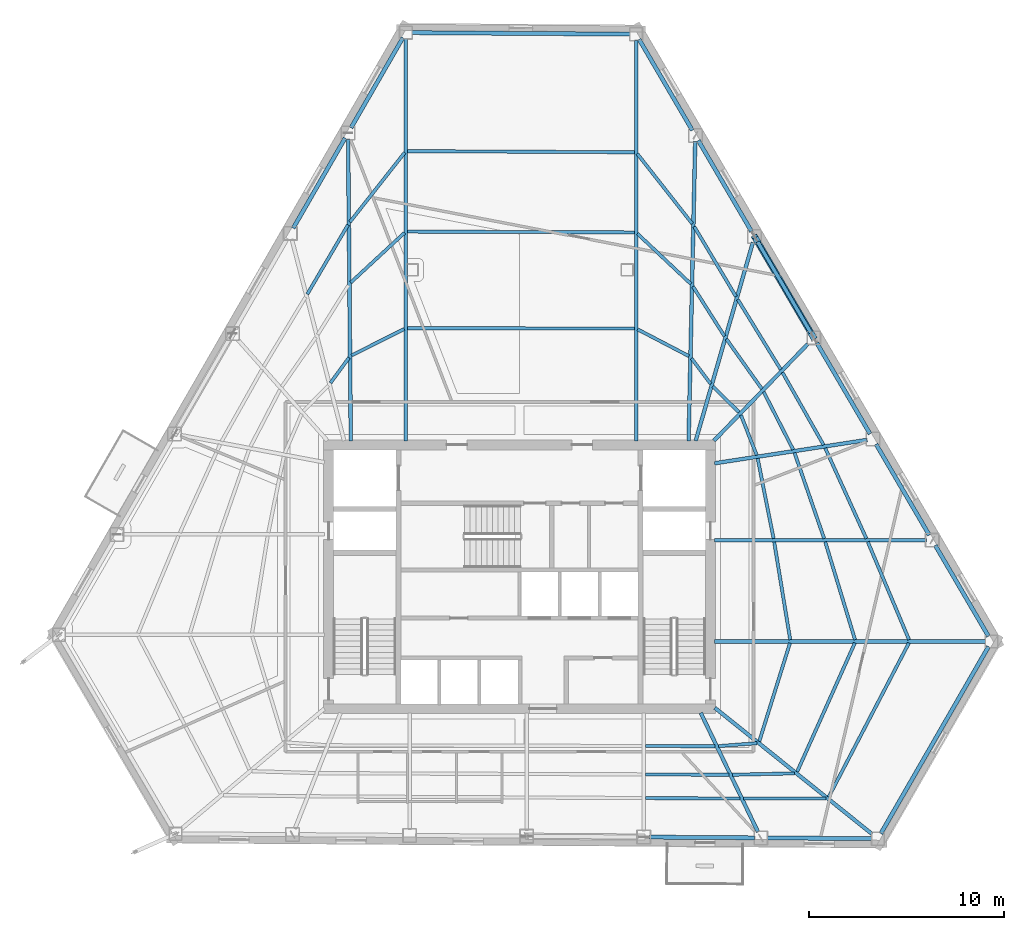
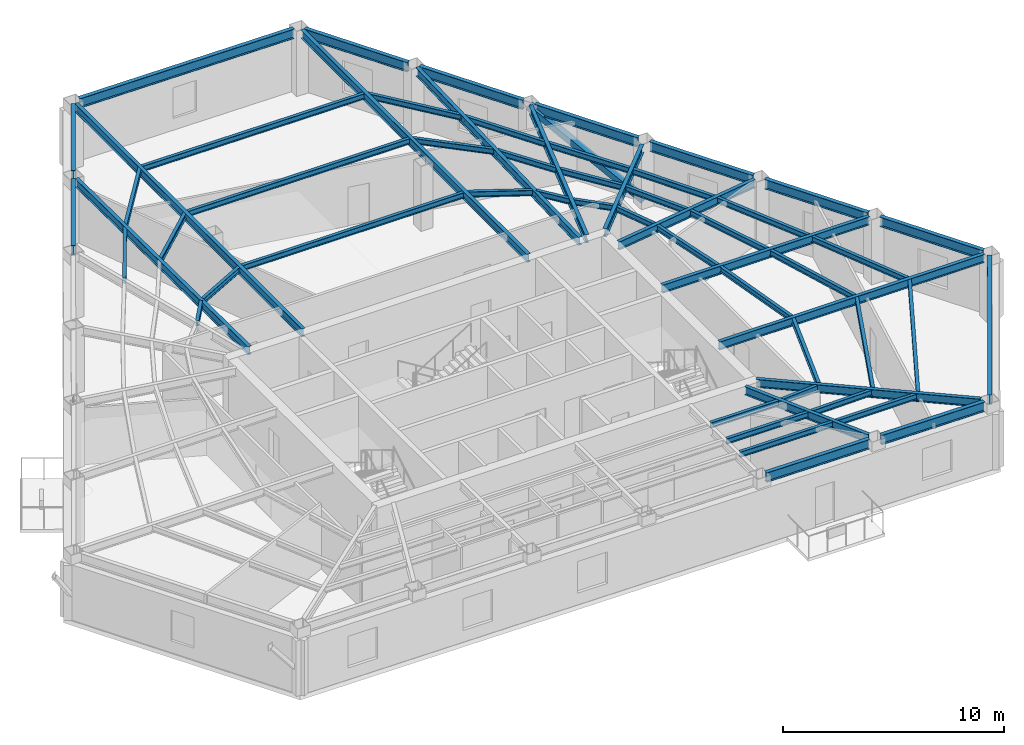
# One storey, part 2 of 12: 58 beams, 1 member.
"""IFC4 building model written with IfcOpenShell, lengths in metres."""

from ifc_helpers import new_model, si_unit, direction, frame, origin, origin_2d, place, context, subcontext, project, spatial, hollow_rectangle, i_section, extrude, material, material_profile, profile_set, type_object, element, save


model = new_model("IFC4")

# Units and contexts
model_context = context("Model", 3, precision=1e-05, world=origin(), true_north=direction((0.0, 1.0)))
body_context = subcontext(model_context, "Body", "Model", "MODEL_VIEW")
ifc_project = project(units=[si_unit("LENGTHUNIT", "METRE"), si_unit("AREAUNIT", "SQUARE_METRE"), si_unit("VOLUMEUNIT", "CUBIC_METRE"), si_unit("PLANEANGLEUNIT", "RADIAN"), si_unit("MASSUNIT", "GRAM", prefix="KILO")], contexts=[model_context])

# Site, building, storey
site_placement = place(None, origin())
site = spatial("IfcSite", under=ifc_project, at=site_placement, CompositionType="ELEMENT")
building_placement = place(site_placement, origin())
building = spatial("IfcBuilding", under=site, at=building_placement, Name="Kavelnor Concourse Tower", CompositionType="ELEMENT")
storey_placement = place(building_placement, frame((0.0, 0.0, 120.14990234375)))
storey = spatial("IfcBuildingStorey", under=building, at=storey_placement, Name="L30", CompositionType="ELEMENT", Elevation=120.14990234375)

# Beams
ifc_material = material(Name="Steel Grade 350", Category="steel")
ifc_material_profile_1 = material_profile(ifc_material, i_section(OverallWidth=0.166015625, OverallDepth=0.306884765625, WebThickness=0.006591796875, FlangeThickness=0.01171875, at=origin_2d()), Name="310UB46")
ifc_profile_set_1 = profile_set([ifc_material_profile_1], Name="Steel Grade 350")
beam_type_1 = type_object("IfcBeamType", Name="BM-JOIST-310", PredefinedType="JOIST", material=ifc_profile_set_1)
beam_1_placement = place(storey_placement, frame((44.4453125, 7.444091796875, 3.446533203125), z_axis=(0.999993639994, -0.003566506809, 0.0), x_axis=(0.003566506809, 0.999993639994, 0.0)))
element("IfcBeam", 1, at=beam_1_placement, inside=storey, type_object=beam_type_1, Name="L30 Secondary Composite Joist 06-1", PredefinedType="JOIST", context=body_context, shape_type="SweptSolid", body=[
    extrude(i_section(OverallWidth=0.166015625, OverallDepth=0.306884765625, WebThickness=0.006591796875, FlangeThickness=0.01171875, at=origin_2d()), origin(), (0.0, 0.0, 1.0), 3.5595703125),
])
beam_2_placement = place(storey_placement, frame((44.4453125, 5.990966796875, 3.446533203125), z_axis=(0.999988142034, -0.004869886105, 0.0), x_axis=(0.004869886105, 0.999988142034, 0.0)))
element("IfcBeam", 2, at=beam_2_placement, inside=storey, type_object=beam_type_1, Name="L30 Secondary Composite Joist 06-2", PredefinedType="JOIST", context=body_context, shape_type="SweptSolid", body=[
    extrude(i_section(OverallWidth=0.166015625, OverallDepth=0.306884765625, WebThickness=0.006591796875, FlangeThickness=0.01171875, at=origin_2d()), origin(), (0.0, 0.0, 1.0), 4.26123046875),
])
beam_3_placement = place(storey_placement, frame((44.4453125, 4.77978515625, 3.446533203125), z_axis=(0.999984365473, -0.005591852119, 0.0), x_axis=(0.005591852119, 0.999984365473, 0.0)))
element("IfcBeam", 3, at=beam_3_placement, inside=storey, type_object=beam_type_1, Name="L30 Secondary Composite Joist 06-3", PredefinedType="JOIST", context=body_context, shape_type="SweptSolid", body=[
    extrude(i_section(OverallWidth=0.166015625, OverallDepth=0.306884765625, WebThickness=0.006591796875, FlangeThickness=0.01171875, at=origin_2d()), origin(), (0.0, 0.0, 1.0), 4.84619140625),
])
beam_4_placement = place(storey_placement, frame((48.1826171875, 7.43798828125, 3.446533203125), z_axis=(0.997110260076, 0.075967948838, 0.0), x_axis=(-0.075967948838, 0.997110260076, 0.0)))
element("IfcBeam", 4, at=beam_4_placement, inside=storey, type_object=beam_type_1, Name="L30 Secondary Composite Joist 07-1", PredefinedType="JOIST", context=body_context, shape_type="SweptSolid", body=[
    extrude(i_section(OverallWidth=0.166015625, OverallDepth=0.306884765625, WebThickness=0.006591796875, FlangeThickness=0.01171875, at=origin_2d()), origin(), (0.0, 0.0, 1.0), 1.97314453125),
])
beam_5_placement = place(storey_placement, frame((48.884521484375, 5.971923828125, 3.446533203125), z_axis=(0.999744196967, 0.02261726401, 0.0), x_axis=(-0.02261726401, 0.999744196967, 0.0)))
element("IfcBeam", 5, at=beam_5_placement, inside=storey, type_object=beam_type_1, Name="L30 Secondary Composite Joist 07-2", PredefinedType="JOIST", context=body_context, shape_type="SweptSolid", body=[
    extrude(i_section(OverallWidth=0.166015625, OverallDepth=0.306884765625, WebThickness=0.006591796875, FlangeThickness=0.01171875, at=origin_2d()), origin(), (0.0, 0.0, 1.0), 3.195068359375),
])
beam_6_placement = place(storey_placement, frame((49.469482421875, 4.752197265625, 3.446533203125), z_axis=(0.999999622847, 0.000868507576, 0.0), x_axis=(-0.000868507576, 0.999999622847, 0.0)))
element("IfcBeam", 6, at=beam_6_placement, inside=storey, type_object=beam_type_1, Name="L30 Secondary Composite Joist 07-3", PredefinedType="JOIST", context=body_context, shape_type="SweptSolid", body=[
    extrude(i_section(OverallWidth=0.166015625, OverallDepth=0.306884765625, WebThickness=0.006591796875, FlangeThickness=0.01171875, at=origin_2d()), origin(), (0.0, 0.0, 1.0), 4.216552734375),
])
beam_7_placement = place(storey_placement, frame((50.265380859375, 7.6796875, 3.446533203125), z_axis=(0.298132560037, 0.954524476714, 0.0), x_axis=(-0.954524476714, 0.298132560037, 0.0)))
element("IfcBeam", 7, at=beam_7_placement, inside=storey, type_object=beam_type_1, Name="L30 Secondary Composite Joist 08-1", PredefinedType="JOIST", context=body_context, shape_type="SweptSolid", body=[
    extrude(i_section(OverallWidth=0.166015625, OverallDepth=0.306884765625, WebThickness=0.006591796875, FlangeThickness=0.01171875, at=origin_2d()), origin(), (0.0, 0.0, 1.0), 5.2705078125),
])
beam_8_placement = place(storey_placement, frame((52.2041015625, 6.12744140625, 3.446533203125), z_axis=(0.408857759763, 0.912598122002, 0.0), x_axis=(-0.912598122002, 0.408857759763, 0.0)))
element("IfcBeam", 8, at=beam_8_placement, inside=storey, type_object=beam_type_1, Name="L30 Secondary Composite Joist 08-2", PredefinedType="JOIST", context=body_context, shape_type="SweptSolid", body=[
    extrude(i_section(OverallWidth=0.166015625, OverallDepth=0.306884765625, WebThickness=0.006591796875, FlangeThickness=0.01171875, at=origin_2d()), origin(), (0.0, 0.0, 1.0), 7.217529296875),
])
beam_9_placement = place(storey_placement, frame((53.816162109375, 4.8349609375, 3.446533203125), z_axis=(0.462192339094, 0.886779703017, 0.0), x_axis=(-0.886779703017, 0.462192339094, 0.0)))
element("IfcBeam", 9, at=beam_9_placement, inside=storey, type_object=beam_type_1, Name="L30 Secondary Composite Joist 08-3", PredefinedType="JOIST", context=body_context, shape_type="SweptSolid", body=[
    extrude(i_section(OverallWidth=0.166015625, OverallDepth=0.306884765625, WebThickness=0.006591796875, FlangeThickness=0.01171875, at=origin_2d()), origin(), (0.0, 0.0, 1.0), 8.887939453125),
])
beam_10_placement = place(storey_placement, frame((51.8486328125, 12.88330078125, 3.446533203125), z_axis=(-0.161695824302, 0.986840645902, 0.0), x_axis=(-0.986840645902, -0.161695824302, 0.0)))
element("IfcBeam", 10, at=beam_10_placement, inside=storey, type_object=beam_type_1, Name="L30 Secondary Composite Joist 09-1", PredefinedType="JOIST", context=body_context, shape_type="SweptSolid", body=[
    extrude(i_section(OverallWidth=0.166015625, OverallDepth=0.306884765625, WebThickness=0.006591796875, FlangeThickness=0.01171875, at=origin_2d()), origin(), (0.0, 0.0, 1.0), 5.068603515625),
])
beam_11_placement = place(storey_placement, frame((55.16552734375, 12.880615234375, 3.446533203125), z_axis=(-0.29115419141, 0.956676139989, 0.0), x_axis=(-0.956676139989, -0.29115419141, 0.0)))
element("IfcBeam", 11, at=beam_11_placement, inside=storey, type_object=beam_type_1, Name="L30 Secondary Composite Joist 09-2", PredefinedType="JOIST", context=body_context, shape_type="SweptSolid", body=[
    extrude(i_section(OverallWidth=0.166015625, OverallDepth=0.306884765625, WebThickness=0.006591796875, FlangeThickness=0.01171875, at=origin_2d()), origin(), (0.0, 0.0, 1.0), 5.234130859375),
])
beam_12_placement = place(storey_placement, frame((57.9306640625, 12.87744140625, 3.446533203125), z_axis=(-0.388371929917, 0.921502709737, 0.0), x_axis=(-0.921502709737, -0.388371929917, 0.0)))
element("IfcBeam", 12, at=beam_12_placement, inside=storey, type_object=beam_type_1, Name="L30 Secondary Composite Joist 09-3", PredefinedType="JOIST", context=body_context, shape_type="SweptSolid", body=[
    extrude(i_section(OverallWidth=0.166015625, OverallDepth=0.306884765625, WebThickness=0.006591796875, FlangeThickness=0.01171875, at=origin_2d()), origin(), (0.0, 0.0, 1.0), 5.440673828125),
])
beam_13_placement = place(storey_placement, frame((50.997314453125, 18.060302734375, 3.446533203125), z_axis=(-0.194856772986, 0.980831707288, 0.0), x_axis=(-0.980831707288, -0.194856772986, 0.0)))
element("IfcBeam", 13, at=beam_13_placement, inside=storey, type_object=beam_type_1, Name="L30 Secondary Composite Joist 10-1", PredefinedType="JOIST", context=body_context, shape_type="SweptSolid", body=[
    extrude(i_section(OverallWidth=0.166015625, OverallDepth=0.306884765625, WebThickness=0.006591796875, FlangeThickness=0.01171875, at=origin_2d()), origin(), (0.0, 0.0, 1.0), 4.176025390625),
])
beam_14_placement = place(storey_placement, frame((53.58642578125, 18.05712890625, 3.446533203125), z_axis=(-0.326758472064, 0.945107877935, 0.0), x_axis=(-0.945107877935, -0.326758472064, 0.0)))
element("IfcBeam", 14, at=beam_14_placement, inside=storey, type_object=beam_type_1, Name="L30 Secondary Composite Joist 10-2", PredefinedType="JOIST", context=body_context, shape_type="SweptSolid", body=[
    extrude(i_section(OverallWidth=0.166015625, OverallDepth=0.306884765625, WebThickness=0.006591796875, FlangeThickness=0.01171875, at=origin_2d()), origin(), (0.0, 0.0, 1.0), 4.644287109375),
])
beam_15_placement = place(storey_placement, frame((55.746337890625, 18.05419921875, 3.446533203125), z_axis=(-0.414135275356, 0.910215344688, 0.0), x_axis=(-0.910215344688, -0.414135275356, 0.0)))
element("IfcBeam", 15, at=beam_15_placement, inside=storey, type_object=beam_type_1, Name="L30 Secondary Composite Joist 10-3", PredefinedType="JOIST", context=body_context, shape_type="SweptSolid", body=[
    extrude(i_section(OverallWidth=0.166015625, OverallDepth=0.306884765625, WebThickness=0.006591796875, FlangeThickness=0.01171875, at=origin_2d()), origin(), (0.0, 0.0, 1.0), 5.091796875),
])
beam_16_placement = place(storey_placement, frame((50.1337890625, 22.326416015625, 3.446533203125), z_axis=(-0.365968303862, 0.930627315615, 0.0), x_axis=(-0.930627315615, -0.365968303862, 0.0)))
element("IfcBeam", 16, at=beam_16_placement, inside=storey, type_object=beam_type_1, Name="L30 Secondary Composite Joist 11-1", PredefinedType="JOIST", context=body_context, shape_type="SweptSolid", body=[
    extrude(i_section(OverallWidth=0.166015625, OverallDepth=0.306884765625, WebThickness=0.006591796875, FlangeThickness=0.01171875, at=origin_2d()), origin(), (0.0, 0.0, 1.0), 2.199462890625),
])
beam_17_placement = place(storey_placement, frame((51.999267578125, 22.60986328125, 3.446533203125), z_axis=(-0.455085127073, 0.890447936219, 0.0), x_axis=(-0.890447936219, -0.455085127073, 0.0)))
element("IfcBeam", 17, at=beam_17_placement, inside=storey, type_object=beam_type_1, Name="L30 Secondary Composite Joist 11-2", PredefinedType="JOIST", context=body_context, shape_type="SweptSolid", body=[
    extrude(i_section(OverallWidth=0.166015625, OverallDepth=0.306884765625, WebThickness=0.006591796875, FlangeThickness=0.01171875, at=origin_2d()), origin(), (0.0, 0.0, 1.0), 3.317626953125),
])
beam_18_placement = place(storey_placement, frame((53.556884765625, 22.84716796875, 3.446533203125), z_axis=(-0.493404134219, 0.869800184143, 0.0), x_axis=(-0.869800184143, -0.493404134219, 0.0)))
element("IfcBeam", 18, at=beam_18_placement, inside=storey, type_object=beam_type_1, Name="L30 Secondary Composite Joist 11-3", PredefinedType="JOIST", context=body_context, shape_type="SweptSolid", body=[
    extrude(i_section(OverallWidth=0.166015625, OverallDepth=0.306884765625, WebThickness=0.006591796875, FlangeThickness=0.01171875, at=origin_2d()), origin(), (0.0, 0.0, 1.0), 4.2626953125),
])
beam_19_placement = place(storey_placement, frame((49.23291015625, 24.518798828125, 3.446533203125), z_axis=(-0.711638961517, 0.702545363981, 0.0), x_axis=(-0.702545363981, -0.711638961517, 0.0)))
element("IfcBeam", 19, at=beam_19_placement, inside=storey, type_object=beam_type_1, Name="L30 Secondary Composite Joist 12-1", PredefinedType="JOIST", context=body_context, shape_type="SweptSolid", body=[
    extrude(i_section(OverallWidth=0.166015625, OverallDepth=0.306884765625, WebThickness=0.006591796875, FlangeThickness=0.01171875, at=origin_2d()), origin(), (0.0, 0.0, 1.0), 1.87939453125),
])
beam_20_placement = place(storey_placement, frame((50.3974609375, 25.7158203125, 3.446533203125), z_axis=(-0.579500732718, 0.814971717779, 0.0), x_axis=(-0.814971717779, -0.579500732718, 0.0)))
element("IfcBeam", 20, at=beam_20_placement, inside=storey, type_object=beam_type_1, Name="L30 Secondary Composite Joist 12-2", PredefinedType="JOIST", context=body_context, shape_type="SweptSolid", body=[
    extrude(i_section(OverallWidth=0.166015625, OverallDepth=0.306884765625, WebThickness=0.006591796875, FlangeThickness=0.01171875, at=origin_2d()), origin(), (0.0, 0.0, 1.0), 3.1259765625),
])
beam_21_placement = place(storey_placement, frame((51.363037109375, 26.708251953125, 3.446533203125), z_axis=(-0.522949049536, 0.852363943154, 0.0), x_axis=(-0.852363943154, -0.522949049536, 0.0)))
element("IfcBeam", 21, at=beam_21_placement, inside=storey, type_object=beam_type_1, Name="L30 Secondary Composite Joist 12-3", PredefinedType="JOIST", context=body_context, shape_type="SweptSolid", body=[
    extrude(i_section(OverallWidth=0.166015625, OverallDepth=0.306884765625, WebThickness=0.006591796875, FlangeThickness=0.01171875, at=origin_2d()), origin(), (0.0, 0.0, 1.0), 4.20068359375),
])
beam_22_placement = place(storey_placement, frame((47.77880859375, 25.972900390625, 3.446533203125), z_axis=(-0.600191278872, 0.79985650511, 0.0), x_axis=(-0.79985650511, -0.600191278872, 0.0)))
element("IfcBeam", 22, at=beam_22_placement, inside=storey, type_object=beam_type_1, Name="L30 Secondary Composite Joist 13-1", PredefinedType="JOIST", context=body_context, shape_type="SweptSolid", body=[
    extrude(i_section(OverallWidth=0.166015625, OverallDepth=0.306884765625, WebThickness=0.006591796875, FlangeThickness=0.01171875, at=origin_2d()), origin(), (0.0, 0.0, 1.0), 1.633544921875),
])
beam_23_placement = place(storey_placement, frame((48.48681640625, 28.4111328125, 3.446533203125), z_axis=(-0.535694361059, 0.844411956056, 0.0), x_axis=(-0.844411956056, -0.535694361059, 0.0)))
element("IfcBeam", 23, at=beam_23_placement, inside=storey, type_object=beam_type_1, Name="L30 Secondary Composite Joist 13-2", PredefinedType="JOIST", context=body_context, shape_type="SweptSolid", body=[
    extrude(i_section(OverallWidth=0.166015625, OverallDepth=0.306884765625, WebThickness=0.006591796875, FlangeThickness=0.01171875, at=origin_2d()), origin(), (0.0, 0.0, 1.0), 3.0107421875),
])
beam_24_placement = place(storey_placement, frame((49.073974609375, 30.441162109375, 3.446533203125), z_axis=(-0.51252863095, 0.858670135999, 0.0), x_axis=(-0.858670135999, -0.51252863095, 0.0)))
element("IfcBeam", 24, at=beam_24_placement, inside=storey, type_object=beam_type_1, Name="L30 Secondary Composite Joist 13-3", PredefinedType="JOIST", context=body_context, shape_type="SweptSolid", body=[
    extrude(i_section(OverallWidth=0.166015625, OverallDepth=0.306884765625, WebThickness=0.006591796875, FlangeThickness=0.01171875, at=origin_2d()), origin(), (0.0, 0.0, 1.0), 4.164306640625),
])
beam_25_placement = place(storey_placement, frame((46.666015625, 27.391845703125, 3.446533203125), z_axis=(-0.886686388982, 0.462371330853, 0.0), x_axis=(-0.462371330853, -0.886686388982, 0.0)))
element("IfcBeam", 25, at=beam_25_placement, inside=storey, type_object=beam_type_1, Name="L30 Secondary Composite Joist 14-1", PredefinedType="JOIST", context=body_context, shape_type="SweptSolid", body=[
    extrude(i_section(OverallWidth=0.166015625, OverallDepth=0.306884765625, WebThickness=0.006591796875, FlangeThickness=0.01171875, at=origin_2d()), origin(), (0.0, 0.0, 1.0), 2.95751953125),
])
beam_26_placement = place(storey_placement, frame((46.761474609375, 31.089599609375, 3.446533203125), z_axis=(-0.72829170929, 0.685267237054, 0.0), x_axis=(-0.685267237054, -0.72829170929, 0.0)))
element("IfcBeam", 26, at=beam_26_placement, inside=storey, type_object=beam_type_1, Name="L30 Secondary Composite Joist 14-2", PredefinedType="JOIST", context=body_context, shape_type="SweptSolid", body=[
    extrude(i_section(OverallWidth=0.166015625, OverallDepth=0.306884765625, WebThickness=0.006591796875, FlangeThickness=0.01171875, at=origin_2d()), origin(), (0.0, 0.0, 1.0), 3.750732421875),
])
beam_27_placement = place(storey_placement, frame((46.839111328125, 34.163330078125, 3.446533203125), z_axis=(-0.617826277945, 0.786314625503, 0.0), x_axis=(-0.786314625503, -0.617826277945, 0.0)))
element("IfcBeam", 27, at=beam_27_placement, inside=storey, type_object=beam_type_1, Name="L30 Secondary Composite Joist 14-3", PredefinedType="JOIST", context=body_context, shape_type="SweptSolid", body=[
    extrude(i_section(OverallWidth=0.166015625, OverallDepth=0.306884765625, WebThickness=0.006591796875, FlangeThickness=0.01171875, at=origin_2d()), origin(), (0.0, 0.0, 1.0), 4.56298828125),
])
for number, where, z_axis, x_axis, name in (
    (28, (43.8759765625, 28.800537109375, 3.446533203125), (-0.999998085668, 0.001956696374, 0.0), (-0.001956696374, -0.999998085668, 0.0), "L30 Secondary Composite Joist 15-1"),
    (29, (43.8759765625, 33.72119140625, 3.446533203125), (-0.999993452051, 0.003618819537, 0.0), (-0.003618819537, -0.999993452051, 0.0), "L30 Secondary Composite Joist 15-2"),
):
    element("IfcBeam", number, at=place(storey_placement, frame(where, z_axis=z_axis, x_axis=x_axis)), inside=storey, type_object=beam_type_1, Name=name, PredefinedType="JOIST", context=body_context, shape_type="SweptSolid", body=[
        extrude(i_section(OverallWidth=0.166015625, OverallDepth=0.306884765625, WebThickness=0.006591796875, FlangeThickness=0.01171875, at=origin_2d()), origin(), (0.0, 0.0, 1.0), 11.603759765625),
    ])
beam_28_placement = place(storey_placement, frame((43.8759765625, 37.82177734375, 3.446533203125), z_axis=(-0.999987567993, 0.004986367347, 0.0), x_axis=(-0.004986367347, -0.999987567993, 0.0)))
element("IfcBeam", 30, at=beam_28_placement, inside=storey, type_object=beam_type_1, Name="L30 Secondary Composite Joist 15-3", PredefinedType="JOIST", context=body_context, shape_type="SweptSolid", body=[
    extrude(i_section(OverallWidth=0.166015625, OverallDepth=0.306884765625, WebThickness=0.006591796875, FlangeThickness=0.01171875, at=origin_2d()), origin(), (0.0, 0.0, 1.0), 11.60400390625),
])
beam_29_placement = place(storey_placement, frame((32.103759765625, 28.783203125, 3.446533203125), z_axis=(-0.893145420475, -0.449768004514, 0.0), x_axis=(0.449768004514, -0.893145420475, 0.0)))
element("IfcBeam", 31, at=beam_29_placement, inside=storey, type_object=beam_type_1, Name="L30 Secondary Composite Joist 16-1", PredefinedType="JOIST", context=body_context, shape_type="SweptSolid", body=[
    extrude(i_section(OverallWidth=0.166015625, OverallDepth=0.306884765625, WebThickness=0.006591796875, FlangeThickness=0.01171875, at=origin_2d()), origin(), (0.0, 0.0, 1.0), 3.01806640625),
])
beam_30_placement = place(storey_placement, frame((32.117919921875, 33.702880859375, 3.446533203125), z_axis=(-0.734324655341, -0.678798424098, 0.0), x_axis=(0.678798424098, -0.734324655341, 0.0)))
element("IfcBeam", 32, at=beam_30_placement, inside=storey, type_object=beam_type_1, Name="L30 Secondary Composite Joist 16-2", PredefinedType="JOIST", context=body_context, shape_type="SweptSolid", body=[
    extrude(i_section(OverallWidth=0.166015625, OverallDepth=0.306884765625, WebThickness=0.006591796875, FlangeThickness=0.01171875, at=origin_2d()), origin(), (0.0, 0.0, 1.0), 3.7548828125),
])
beam_31_placement = place(storey_placement, frame((32.128173828125, 37.810302734375, 3.446533203125), z_axis=(-0.619317485095, -0.785140657879, 0.0), x_axis=(0.785140657879, -0.619317485095, 0.0)))
element("IfcBeam", 33, at=beam_31_placement, inside=storey, type_object=beam_type_1, Name="L30 Secondary Composite Joist 16-3", PredefinedType="JOIST", context=body_context, shape_type="SweptSolid", body=[
    extrude(i_section(OverallWidth=0.166015625, OverallDepth=0.306884765625, WebThickness=0.006591796875, FlangeThickness=0.01171875, at=origin_2d()), origin(), (0.0, 0.0, 1.0), 4.5302734375),
])
beam_32_placement = place(storey_placement, frame((29.276123046875, 27.31396484375, 3.446533203125), z_axis=(-0.590947711608, -0.806709862432, 0.0), x_axis=(0.806709862432, -0.590947711608, 0.0)))
element("IfcBeam", 34, at=beam_32_placement, inside=storey, type_object=beam_type_1, Name="L30 Secondary Composite Joist 17-1", PredefinedType="JOIST", context=body_context, shape_type="SweptSolid", body=[
    extrude(i_section(OverallWidth=0.166015625, OverallDepth=0.306884765625, WebThickness=0.006591796875, FlangeThickness=0.01171875, at=origin_2d()), origin(), (0.0, 0.0, 1.0), 1.603271484375),
])
beam_33_placement = place(storey_placement, frame((29.222412109375, 34.106689453125, 3.446533203125), z_axis=(-0.506259166262, -0.86238138696, 0.0), x_axis=(0.86238138696, -0.506259166262, 0.0)))
element("IfcBeam", 35, at=beam_33_placement, inside=storey, type_object=beam_type_1, Name="L30 Secondary Composite Joist 17-3", PredefinedType="JOIST", context=body_context, shape_type="SweptSolid", body=[
    extrude(i_section(OverallWidth=0.166015625, OverallDepth=0.306884765625, WebThickness=0.006591796875, FlangeThickness=0.01171875, at=origin_2d()), origin(), (0.0, 0.0, 1.0), 4.109130859375),
])
ifc_material_profile_2 = material_profile(ifc_material, i_section(OverallWidth=0.18994140625, OverallDepth=0.4541015625, WebThickness=0.008544921875, FlangeThickness=0.0126953125, at=origin_2d()), Name="460UB67")
ifc_profile_set_2 = profile_set([ifc_material_profile_2], Name="Steel Grade 350")
beam_type_2 = type_object("IfcBeamType", Name="BM-PRIMARY-460", PredefinedType="BEAM", material=ifc_profile_set_2)
beam_34_placement = place(storey_placement, frame((32.183349609375, 23.06005859375, 3.373046875), z_axis=(0.0, 1.0, 0.0), x_axis=(-1.0, 0.0, 0.0)))
element("IfcBeam", 36, at=beam_34_placement, inside=storey, type_object=beam_type_2, Name="L30 Primary Floor Girder F0-B0", PredefinedType="BEAM", context=body_context, shape_type="SweptSolid", body=[
    extrude(i_section(OverallWidth=0.18994140625, OverallDepth=0.4541015625, WebThickness=0.008544921875, FlangeThickness=0.0126953125, at=origin_2d()), origin(), (0.0, 0.0, 1.0), 20.58349609375),
])
beam_35_placement = place(storey_placement, frame((29.36767578125, 23.06005859375, 3.373046875), z_axis=(-0.009007219935, 0.999959434172, 0.0), x_axis=(-0.999959434172, -0.009007219935, 0.0)))
element("IfcBeam", 37, at=beam_35_placement, inside=storey, type_object=beam_type_2, Name="L30 Primary Floor Girder F0-B1", PredefinedType="BEAM", context=body_context, shape_type="SweptSolid", body=[
    extrude(i_section(OverallWidth=0.18994140625, OverallDepth=0.4541015625, WebThickness=0.008544921875, FlangeThickness=0.0126953125, at=origin_2d()), origin(), (0.0, 0.0, 1.0), 15.449951171875),
])
beam_36_placement = place(storey_placement, frame((47.27490234375, 9.135986328125, 3.373046875), z_axis=(0.432930811557, -0.901427153133, 0.0), x_axis=(0.901427153133, 0.432930811557, 0.0)))
element("IfcBeam", 38, at=beam_36_placement, inside=storey, type_object=beam_type_2, Name="L30 Primary Floor Girder F1-B5", PredefinedType="BEAM", context=body_context, shape_type="SweptSolid", body=[
    extrude(i_section(OverallWidth=0.18994140625, OverallDepth=0.4541015625, WebThickness=0.008544921875, FlangeThickness=0.0126953125, at=origin_2d()), origin(), (0.0, 0.0, 1.0), 6.754638671875),
])
beam_37_placement = place(storey_placement, frame((47.98876953125, 9.401123046875, 3.373046875), z_axis=(0.779811455478, -0.626014451834, 0.0), x_axis=(0.626014451834, 0.779811455478, 0.0)))
element("IfcBeam", 39, at=beam_37_placement, inside=storey, type_object=beam_type_2, Name="L30 Primary Floor Girder F1-B6", PredefinedType="BEAM", context=body_context, shape_type="SweptSolid", body=[
    extrude(i_section(OverallWidth=0.18994140625, OverallDepth=0.4541015625, WebThickness=0.008544921875, FlangeThickness=0.0126953125, at=origin_2d()), origin(), (0.0, 0.0, 1.0), 10.305419921875),
])
beam_38_placement = place(storey_placement, frame((47.97998046875, 12.79541015625, 3.373046875), z_axis=(1.0, 0.0, 0.0), x_axis=(0.0, 1.0, 0.0)))
element("IfcBeam", 40, at=beam_38_placement, inside=storey, type_object=beam_type_2, Name="L30 Primary Floor Girder F2-B0", PredefinedType="BEAM", context=body_context, shape_type="SweptSolid", body=[
    extrude(i_section(OverallWidth=0.18994140625, OverallDepth=0.4541015625, WebThickness=0.008544921875, FlangeThickness=0.0126953125, at=origin_2d()), origin(), (0.0, 0.0, 1.0), 13.868408203125),
])
beam_39_placement = place(storey_placement, frame((47.97998046875, 17.97314453125, 3.373046875), z_axis=(1.0, 0.0, 0.0), x_axis=(0.0, 1.0, 0.0)))
element("IfcBeam", 41, at=beam_39_placement, inside=storey, type_object=beam_type_2, Name="L30 Primary Floor Girder F2-B1", PredefinedType="BEAM", context=body_context, shape_type="SweptSolid", body=[
    extrude(i_section(OverallWidth=0.18994140625, OverallDepth=0.4541015625, WebThickness=0.008544921875, FlangeThickness=0.0126953125, at=origin_2d()), origin(), (0.0, 0.0, 1.0), 10.837646484375),
])
beam_40_placement = place(storey_placement, frame((47.98046875, 21.908447265625, 3.373046875), z_axis=(0.988460163217, 0.151481040838, 0.0), x_axis=(-0.151481040838, 0.988460163217, 0.0)))
element("IfcBeam", 42, at=beam_40_placement, inside=storey, type_object=beam_type_2, Name="L30 Primary Floor Girder F2-B2", PredefinedType="BEAM", context=body_context, shape_type="SweptSolid", body=[
    extrude(i_section(OverallWidth=0.18994140625, OverallDepth=0.4541015625, WebThickness=0.008544921875, FlangeThickness=0.0126953125, at=origin_2d()), origin(), (0.0, 0.0, 1.0), 7.897216796875),
])
beam_41_placement = place(storey_placement, frame((47.95166015625, 23.0712890625, 3.373046875), z_axis=(0.696654489442, 0.717406803941, 0.0), x_axis=(-0.717406803941, 0.696654489442, 0.0)))
element("IfcBeam", 43, at=beam_41_placement, inside=storey, type_object=beam_type_2, Name="L30 Primary Floor Girder F2-B3", PredefinedType="BEAM", context=body_context, shape_type="SweptSolid", body=[
    extrude(i_section(OverallWidth=0.18994140625, OverallDepth=0.4541015625, WebThickness=0.008544921875, FlangeThickness=0.0126953125, at=origin_2d()), origin(), (0.0, 0.0, 1.0), 6.89404296875),
])
beam_42_placement = place(storey_placement, frame((47.0126953125, 23.0615234375, 3.373046875), z_axis=(0.2771943184, 0.960813878879, 0.0), x_axis=(-0.960813878879, 0.2771943184, 0.0)))
element("IfcBeam", 44, at=beam_42_placement, inside=storey, type_object=beam_type_2, Name="L30 Primary Floor Girder F2-B4", PredefinedType="BEAM", context=body_context, shape_type="SweptSolid", body=[
    extrude(i_section(OverallWidth=0.18994140625, OverallDepth=0.4541015625, WebThickness=0.008544921875, FlangeThickness=0.0126953125, at=origin_2d()), origin(), (0.0, 0.0, 1.0), 10.556640625),
])
beam_43_placement = place(storey_placement, frame((46.650146484375, 23.06005859375, 3.373046875), z_axis=(0.022108126128, 0.99975558551, 0.0), x_axis=(-0.99975558551, 0.022108126128, 0.0)))
element("IfcBeam", 45, at=beam_43_placement, inside=storey, type_object=beam_type_2, Name="L30 Primary Floor Girder F2-B5", PredefinedType="BEAM", context=body_context, shape_type="SweptSolid", body=[
    extrude(i_section(OverallWidth=0.18994140625, OverallDepth=0.4541015625, WebThickness=0.008544921875, FlangeThickness=0.0126953125, at=origin_2d()), origin(), (0.0, 0.0, 1.0), 15.32763671875),
])
beam_44_placement = place(storey_placement, frame((43.96484375, 23.06005859375, 3.373046875), z_axis=(0.0, 1.0, 0.0), x_axis=(-1.0, 0.0, 0.0)))
element("IfcBeam", 46, at=beam_44_placement, inside=storey, type_object=beam_type_2, Name="L30 Primary Floor Girder F2-B6", PredefinedType="BEAM", context=body_context, shape_type="SweptSolid", body=[
    extrude(i_section(OverallWidth=0.18994140625, OverallDepth=0.4541015625, WebThickness=0.008544921875, FlangeThickness=0.0126953125, at=origin_2d()), origin(), (0.0, 0.0, 1.0), 20.501708984375),
])
ifc_material_profile_3 = material_profile(ifc_material, i_section(OverallWidth=0.208984375, OverallDepth=0.532958984375, WebThickness=0.01025390625, FlangeThickness=0.015625, at=origin_2d()), Name="530UB92")
ifc_profile_set_3 = profile_set([ifc_material_profile_3], Name="Steel Grade 350")
beam_type_3 = type_object("IfcBeamType", Name="BM-SPANDREL-Z2", PredefinedType="SPANDREL", material=ifc_profile_set_3)
for number, where, z_axis, x_axis, name in (
    (47, (32.031005859375, 43.67919921875, 3.33349609375), (-0.499148417021, -0.866516507509, 0.0), (0.866516507509, -0.499148417021, 0.0), "L30 Perimeter Tube Spandrel Beam F0-B0"),
    (48, (29.073486328125, 38.544921875, 3.33349609375), (-0.499148417021, -0.866516507509, 0.0), (0.866516507509, -0.499148417021, 0.0), "L30 Perimeter Tube Spandrel Beam F0-B1"),
):
    element("IfcBeam", number, at=place(storey_placement, frame(where, z_axis=z_axis, x_axis=x_axis)), inside=storey, type_object=beam_type_3, Name=name, PredefinedType="SPANDREL", context=body_context, shape_type="SweptSolid", body=[
        extrude(i_section(OverallWidth=0.208984375, OverallDepth=0.532958984375, WebThickness=0.01025390625, FlangeThickness=0.015625, at=origin_2d()), origin(), (0.0, 0.0, 1.0), 5.315185546875),
    ])
beam_45_placement = place(storey_placement, frame((43.659912109375, 43.86376953125, 3.33349609375), z_axis=(-0.999975853429, 0.006949284761, 0.0), x_axis=(-0.006949284761, -0.999975853429, 0.0)))
element("IfcBeam", 49, at=beam_45_placement, inside=storey, type_object=beam_type_3, Name="L30 Chamfer Facet Spandrel Beam C0", PredefinedType="SPANDREL", context=body_context, shape_type="SweptSolid", body=[
    extrude(i_section(OverallWidth=0.208984375, OverallDepth=0.532958984375, WebThickness=0.01025390625, FlangeThickness=0.015625, at=origin_2d()), origin(), (0.0, 0.0, 1.0), 11.171875),
])
for number, where, z_axis, x_axis, name in (
    (50, (44.661376953125, 2.78271484375, 3.33349609375), (0.999975888218, -0.006944277002, 0.0), (0.006944277002, 0.999975888218, 0.0), "L30 Perimeter Tube Spandrel Beam F1-B4"),
    (51, (50.650146484375, 2.7412109375, 3.33349609375), (0.999975888218, -0.006944277002, 0.0), (0.006944277002, 0.999975888218, 0.0), "L30 Perimeter Tube Spandrel Beam F1-B5"),
):
    element("IfcBeam", number, at=place(storey_placement, frame(where, z_axis=z_axis, x_axis=x_axis)), inside=storey, type_object=beam_type_3, Name=name, PredefinedType="SPANDREL", context=body_context, shape_type="SweptSolid", body=[
        extrude(i_section(OverallWidth=0.208984375, OverallDepth=0.532958984375, WebThickness=0.01025390625, FlangeThickness=0.015625, at=origin_2d()), origin(), (0.0, 0.0, 1.0), 5.379150390625),
    ])
for number, where, z_axis, x_axis, name in (
    (52, (61.994140625, 13.05859375, 3.33349609375), (-0.505132295895, 0.863041924616, 0.0), (-0.863041924616, -0.505132295895, 0.0), "L30 Perimeter Tube Spandrel Beam F2-B0"),
    (53, (58.963623046875, 18.236328125, 3.33349609375), (-0.505132295895, 0.863041924616, 0.0), (-0.863041924616, -0.505132295895, 0.0), "L30 Perimeter Tube Spandrel Beam F2-B1"),
    (54, (55.93310546875, 23.4140625, 3.33349609375), (-0.505152044773, 0.863030365435, 0.0), (-0.863030365435, -0.505152044773, 0.0), "L30 Perimeter Tube Spandrel Beam F2-B2"),
    (55, (52.902587890625, 28.591796875, 3.33349609375), (-0.505132295895, 0.863041924616, 0.0), (-0.863041924616, -0.505132295895, 0.0), "L30 Perimeter Tube Spandrel Beam F2-B3"),
    (56, (49.871826171875, 33.76953125, 3.33349609375), (-0.505098553958, 0.863061672646, 0.0), (-0.863061672646, -0.505098553958, 0.0), "L30 Perimeter Tube Spandrel Beam F2-B4"),
    (57, (46.84130859375, 38.947265625, 3.33349609375), (-0.505152044773, 0.863030365435, 0.0), (-0.863030365435, -0.505152044773, 0.0), "L30 Perimeter Tube Spandrel Beam F2-B5"),
):
    element("IfcBeam", number, at=place(storey_placement, frame(where, z_axis=z_axis, x_axis=x_axis)), inside=storey, type_object=beam_type_3, Name=name, PredefinedType="SPANDREL", context=body_context, shape_type="SweptSolid", body=[
        extrude(i_section(OverallWidth=0.208984375, OverallDepth=0.532958984375, WebThickness=0.01025390625, FlangeThickness=0.015625, at=origin_2d()), origin(), (0.0, 0.0, 1.0), 5.389404296875),
    ])
beam_46_placement = place(storey_placement, frame((56.486083984375, 2.966064453125, 3.33349609375), z_axis=(0.499163257805, 0.86650795845, 0.0), x_axis=(-0.86650795845, 0.499163257805, 0.0)))
element("IfcBeam", 58, at=beam_46_placement, inside=storey, type_object=beam_type_3, Name="L30 Chamfer Facet Spandrel Beam C2", PredefinedType="SPANDREL", context=body_context, shape_type="SweptSolid", body=[
    extrude(i_section(OverallWidth=0.208984375, OverallDepth=0.532958984375, WebThickness=0.01025390625, FlangeThickness=0.015625, at=origin_2d()), origin(), (0.0, 0.0, 1.0), 11.03857421875),
])

# Member
ifc_material_profile_4 = material_profile(ifc_material, hollow_rectangle(XDim=0.320068359375, YDim=0.320068359375, WallThickness=0.01806640625, at=origin_2d()), Name="SHS 320x320x18")
ifc_profile_set_4 = profile_set([ifc_material_profile_4], Name="Steel Grade 350")
member_type = type_object("IfcMemberType", Name="MBR-TUBE-DIAG-Z2", PredefinedType="BRACE", material=ifc_profile_set_4)
member_placement = place(storey_placement, frame((53.056640625, 28.32861328125, 0.22021484375), z_axis=(-0.448389686757, 0.766026137969, 0.460598138032), x_axis=(-0.863022258115, -0.505165895522, 0.0)))
element("IfcMember", 59, at=member_placement, inside=storey, type_object=member_type, Name="L30 Framed-Tube Bracing Diagonal F2-B3", PredefinedType="BRACE", context=body_context, shape_type="SweptSolid", body=[
    extrude(hollow_rectangle(XDim=0.320068359375, YDim=0.320068359375, WallThickness=0.01806640625, at=origin_2d()), origin(), (0.0, 0.0, 1.0), 6.75927734375),
])

save(model, "model.ifc")
